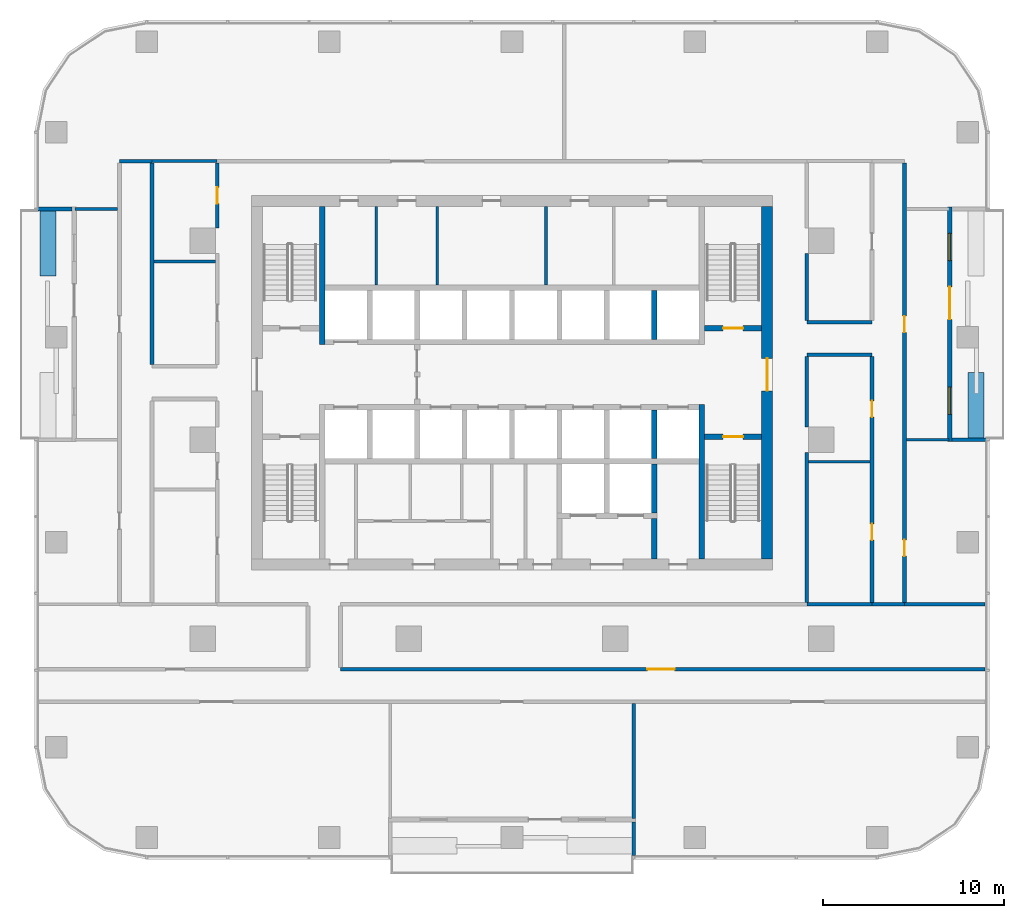
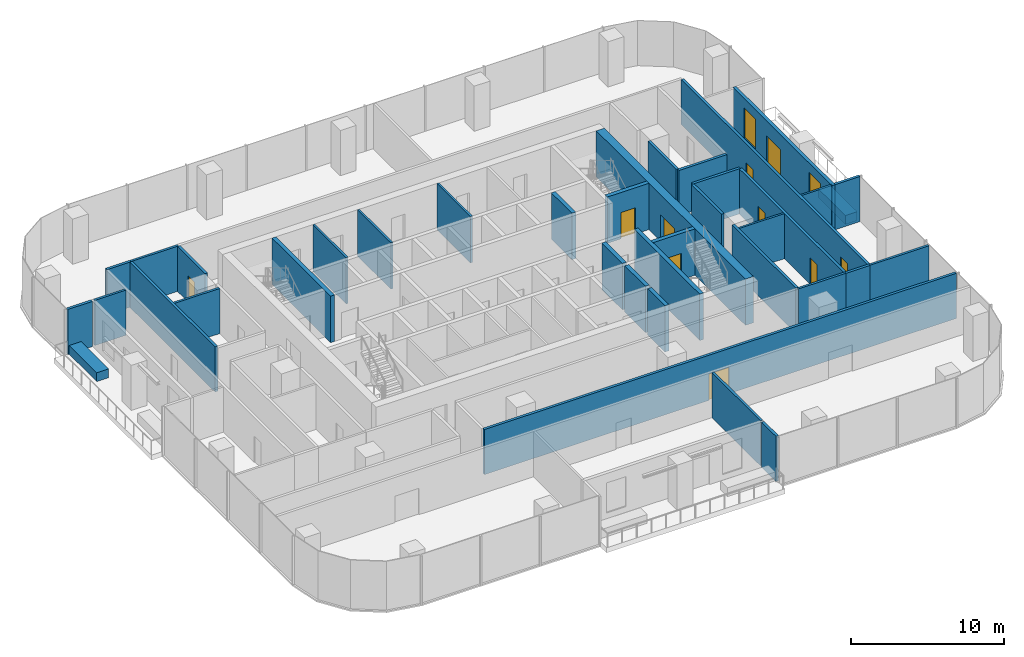
# One storey, part 9 of 14: 38 walls, 10 doors, 2 windows, 12 openings.
"""IFC4 building model written with IfcOpenShell, lengths in metres."""

from ifc_helpers import new_model, si_unit, direction, frame, frame_2d, origin, place, context, subcontext, project, spatial, rectangle, extrude, material, layer, layer_set, type_object, element, fill, save


model = new_model("IFC4")

# Units and contexts
model_context = context("Model", 3, precision=1e-05, world=origin(), true_north=direction((0.0, 1.0)))
body_context = subcontext(model_context, "Body", "Model", "MODEL_VIEW")
ifc_project = project(units=[si_unit("LENGTHUNIT", "METRE"), si_unit("AREAUNIT", "SQUARE_METRE"), si_unit("VOLUMEUNIT", "CUBIC_METRE"), si_unit("PLANEANGLEUNIT", "RADIAN"), si_unit("MASSUNIT", "GRAM", prefix="KILO")], contexts=[model_context])

# Site, building, storey
site_placement = place(None, origin())
site = spatial("IfcSite", under=ifc_project, at=site_placement, CompositionType="ELEMENT")
building_placement = place(site_placement, origin())
building = spatial("IfcBuilding", under=site, at=building_placement, Name="Mopane Tessera Tower", CompositionType="ELEMENT")
storey_placement = place(building_placement, frame((0.0, 0.0, 165.0)))
storey = spatial("IfcBuildingStorey", under=building, at=storey_placement, Name="L33", CompositionType="ELEMENT", Elevation=165.0)

# Walls
ifc_material_1 = material(Name="Fire-rated gypsum board partition")
ifc_layer_1 = layer(ifc_material_1, 0.14990234375)
ifc_layer_set_1 = layer_set([ifc_layer_1], Name="Fire-rated gypsum board partition")
wall_type_1 = type_object("IfcWallType", Name="Core room partition 150 mm", PredefinedType="PARTITIONING", material=ifc_layer_set_1)
for number, where, z_axis, x_axis, name in (
    (1, (-7.5, 8.550048828125, 0.0), (0.0, 0.0, 1.0), (0.0, 1.0, 0.0), "L33 Room partition"),
    (2, (-4.125, 8.550048828125, 0.0), (0.0, 0.0, 1.0), (0.0, 1.0, 0.0), "L33 Room partition"),
    (3, (1.875, 8.550048828125, 0.0), (0.0, 0.0, 1.0), (0.0, 1.0, 0.0), "L33 Room partition"),
):
    element("IfcWall", number, at=place(storey_placement, frame(where, z_axis=z_axis, x_axis=x_axis)), inside=storey, type_object=wall_type_1, Name=name, PredefinedType="PARTITIONING", context=body_context, shape_type="SweptSolid", body=[
        extrude(rectangle(XDim=4.349853515625, YDim=0.14990234375, at=frame_2d((2.1748046875, 0.0))), origin(), (0.0, 0.0, 1.0), 3.699951171875),
    ])

# Wall, opening, door
ifc_material_2 = material(Name="Concrete C70/85", Category="concrete")
ifc_layer_2 = layer(ifc_material_2, 0.60009765625)
ifc_layer_set_2 = layer_set([ifc_layer_2], Name="Concrete C70/85")
wall_type_2 = type_object("IfcWallType", Name="Core shear wall 600 mm", PredefinedType="SHEAR", material=ifc_layer_set_2)
wall_1_placement = place(storey_placement, frame((14.10009765625, -6.60009765625, 0.0), z_axis=(0.0, 0.0, 1.0), x_axis=(0.0, 1.0, 0.0)))
wall_1 = element("IfcWall", 4, at=wall_1_placement, inside=storey, type_object=wall_type_2, Name="L33 Core wall east", PredefinedType="SHEAR", context=body_context, shape_type="SweptSolid", body=[
    extrude(rectangle(XDim=19.5, YDim=0.60009765625, at=frame_2d((9.75, 0.0))), origin(), (0.0, 0.0, 1.0), 3.699951171875),
])
opening_1_placement = place(wall_1_placement, frame((9.300048828125, 0.0, 0.0)))
opening_1 = element("IfcOpeningElement", 5, at=opening_1_placement, cuts=wall_1, Name="Opening SD2", PredefinedType="OPENING", context=body_context, shape_type="SweptSolid", body=[
    extrude(rectangle(XDim=1.800048828125, YDim=2.10009765625, at=frame_2d((0.89990234375, 1.050048828125))), frame((0.0, 0.31201171875, 0.0), z_axis=(0.0, -1.0, 0.0), x_axis=(1.0, 0.0, 0.0)), (0.0, 0.0, 1.0), 0.6240234375),
])
ifc_material_3 = material(Name="Steel fire door", Category="steel")
door_type_1 = type_object("IfcDoorType", Name="Core entrance double door 1800 x 2100", OperationType="DOUBLE_DOOR_SINGLE_SWING", PredefinedType="DOOR", material=ifc_material_3)
door_1_placement = place(opening_1_placement, origin())
door_1 = element("IfcDoor", 6, at=door_1_placement, inside=storey, type_object=door_type_1, Name="L33 Core entrance door east", OperationType="DOUBLE_DOOR_SINGLE_SWING", OverallHeight=2.10009765625, OverallWidth=1.800048828125, PredefinedType="DOOR", context=body_context, shape_type="SweptSolid", body=[
    extrude(rectangle(XDim=1.800048828125, YDim=2.10009765625, at=frame_2d((0.89990234375, 1.050048828125))), frame((0.0, 0.02490234375, 0.0), z_axis=(0.0, -1.0, 0.0), x_axis=(1.0, 0.0, 0.0)), (0.0, 0.0, 1.0), 0.050048828125),
])
fill(opening_1, door_1)

# Walls
ifc_material_4 = material(Name="Concrete C60/75", Category="concrete")
ifc_layer_3 = layer(ifc_material_4, 0.300048828125)
ifc_layer_set_3 = layer_set([ifc_layer_3], Name="Concrete C60/75")
wall_type_3 = type_object("IfcWallType", Name="Core spine wall 300 mm", PredefinedType="SHEAR", material=ifc_layer_set_3)
wall_2_placement = place(storey_placement, frame((-10.5, 5.25, 0.0), z_axis=(0.0, 0.0, 1.0), x_axis=(0.0, 1.0, 0.0)))
element("IfcWall", 7, at=wall_2_placement, inside=storey, type_object=wall_type_3, Name="L33 Core spine wall", PredefinedType="SHEAR", context=body_context, shape_type="SweptSolid", body=[
    extrude(rectangle(XDim=7.64990234375, YDim=0.300048828125, at=frame_2d((3.824951171875, 0.0))), origin(), (0.0, 0.0, 1.0), 3.699951171875),
])
wall_3_placement = place(storey_placement, frame((10.5, -6.60009765625, 0.0), z_axis=(0.0, 0.0, 1.0), x_axis=(0.0, 1.0, 0.0)))
element("IfcWall", 8, at=wall_3_placement, inside=storey, type_object=wall_type_3, Name="L33 Core spine wall", PredefinedType="SHEAR", context=body_context, shape_type="SweptSolid", body=[
    extrude(rectangle(XDim=8.550048828125, YDim=0.300048828125, at=frame_2d((4.27490234375, 0.0))), origin(), (0.0, 0.0, 1.0), 3.699951171875),
])
ifc_material_5 = material(Name="Gypsum board on staggered steel studs, double layer each face, acoustic mineral wool infill", Category="steel")
ifc_layer_4 = layer(ifc_material_5, 0.175048828125)
ifc_layer_set_4 = layer_set([ifc_layer_4], Name="Gypsum board on staggered steel studs, double layer each face, acoustic mineral wool infill")
wall_type_4 = type_object("IfcWallType", Name="Gypsum board acoustic partition 175, rated EI 60", PredefinedType="PARTITIONING", material=ifc_layer_set_4)
wall_4_placement = place(storey_placement, frame((16.300048828125, -9.10009765625, 0.0), z_axis=(0.0, 0.0, 1.0), x_axis=(1.0, 0.0, 0.0)))
element("IfcWall", 9, at=wall_4_placement, inside=storey, type_object=wall_type_4, Name="Partition L33:005", PredefinedType="PARTITIONING", context=body_context, shape_type="SweptSolid", body=[
    extrude(rectangle(XDim=3.599853515625, YDim=0.175048828125, at=frame_2d((1.7998046875, 0.0))), origin(), (0.0, 0.0, 1.0), 3.60009765625),
])
wall_5_placement = place(storey_placement, frame((21.699951171875, -9.10009765625, 0.0), z_axis=(0.0, 0.0, 1.0), x_axis=(1.0, 0.0, 0.0)))
element("IfcWall", 10, at=wall_5_placement, inside=storey, type_object=wall_type_4, Name="Partition L33:006", PredefinedType="PARTITIONING", context=body_context, shape_type="SweptSolid", body=[
    extrude(rectangle(XDim=4.449951171875, YDim=0.175048828125, at=frame_2d((2.22509765625, 0.0))), origin(), (0.0, 0.0, 1.0), 3.60009765625),
])
wall_6_placement = place(storey_placement, frame((-19.800048828125, 9.85498046875, 0.0), z_axis=(0.0, 0.0, 1.0), x_axis=(1.0, 0.0, 0.0)))
element("IfcWall", 11, at=wall_6_placement, inside=storey, type_object=wall_type_4, Name="Partition L33:019", PredefinedType="PARTITIONING", context=body_context, shape_type="SweptSolid", body=[
    extrude(rectangle(XDim=3.400146484375, YDim=0.175048828125, at=frame_2d((1.7001953125, 0.0))), origin(), (0.0, 0.0, 1.0), 3.60009765625),
])
wall_7_placement = place(storey_placement, frame((-24.14990234375, 12.75, 0.0), z_axis=(0.0, 0.0, 1.0), x_axis=(1.0, 0.0, 0.0)))
element("IfcWall", 12, at=wall_7_placement, inside=storey, type_object=wall_type_4, Name="Partition L33:021", PredefinedType="PARTITIONING", context=body_context, shape_type="SweptSolid", body=[
    extrude(rectangle(XDim=2.349853515625, YDim=0.175048828125, at=frame_2d((1.1748046875, 0.0))), origin(), (0.0, 0.0, 1.0), 3.60009765625),
])
wall_8_placement = place(storey_placement, frame((-19.89990234375, 15.39990234375, 0.0), z_axis=(0.0, 0.0, 1.0), x_axis=(1.0, 0.0, 0.0)))
element("IfcWall", 13, at=wall_8_placement, inside=storey, type_object=wall_type_4, Name="Partition L33:023", PredefinedType="PARTITIONING", context=body_context, shape_type="SweptSolid", body=[
    extrude(rectangle(XDim=3.599853515625, YDim=0.175048828125, at=frame_2d((1.7998046875, 0.0))), origin(), (0.0, 0.0, 1.0), 3.60009765625),
])
wall_9_placement = place(storey_placement, frame((6.735107421875, -20.949951171875, 0.0), z_axis=(0.0, 0.0, 1.0), x_axis=(0.0, 1.0, 0.0)))
element("IfcWall", 14, at=wall_9_placement, inside=storey, type_object=wall_type_4, Name="Partition L33:038", PredefinedType="PARTITIONING", context=body_context, shape_type="SweptSolid", body=[
    extrude(rectangle(XDim=6.349853515625, YDim=0.175048828125, at=frame_2d((3.1748046875, 0.0))), origin(), (0.0, 0.0, 1.0), 3.60009765625),
])

# Wall, opening, door
ifc_material_6 = material(Name="Gypsum board on steel studs, two layers each face, mineral wool infill", Category="steel")
ifc_layer_5 = layer(ifc_material_6, 0.199951171875)
ifc_layer_set_5 = layer_set([ifc_layer_5], Name="Gypsum board on steel studs, two layers each face, mineral wool infill")
wall_type_5 = type_object("IfcWallType", Name="Gypsum board corridor wall 200, rated EI 60", PredefinedType="PARTITIONING", material=ifc_layer_set_5)
wall_10_placement = place(storey_placement, frame((-9.47998046875, -12.699951171875, 0.0), z_axis=(0.0, 0.0, 1.0), x_axis=(1.0, 0.0, 0.0)))
wall_10 = element("IfcWall", 15, at=wall_10_placement, inside=storey, type_object=wall_type_5, Name="Partition L33:002", PredefinedType="PARTITIONING", context=body_context, shape_type="SweptSolid", body=[
    extrude(rectangle(XDim=35.6298828125, YDim=0.199951171875, at=frame_2d((17.81494140625, 0.0))), origin(), (0.0, 0.0, 1.0), 3.60009765625),
])
opening_2_placement = place(wall_10_placement, frame((16.965087890625, 0.0, 0.0)))
opening_2 = element("IfcOpeningElement", 16, at=opening_2_placement, cuts=wall_10, Name="Opening L33-05", PredefinedType="OPENING", context=body_context, shape_type="SweptSolid", body=[
    extrude(rectangle(XDim=1.5, YDim=2.10009765625, at=frame_2d((0.75, 1.050048828125))), frame((0.0, 0.112060546875, 0.0), z_axis=(0.0, -1.0, 0.0), x_axis=(1.0, 0.0, 0.0)), (0.0, 0.0, 1.0), 0.223876953125),
])
ifc_material_7 = material(Name="Timber veneered steel-framed fire door", Category="steel")
door_type_2 = type_object("IfcDoorType", Name="Fire door pair FD60 1500 x 2100", OperationType="DOUBLE_DOOR_SINGLE_SWING", PredefinedType="DOOR", material=ifc_material_7)
door_2_placement = place(opening_2_placement, origin())
door_2 = element("IfcDoor", 17, at=door_2_placement, inside=storey, type_object=door_type_2, Name="Door L33-05", ObjectType="D17A", OperationType="DOUBLE_DOOR_SINGLE_SWING", OverallHeight=2.10009765625, OverallWidth=1.5, PredefinedType="DOOR", context=body_context, shape_type="SweptSolid", body=[
    extrude(rectangle(XDim=1.5, YDim=2.10009765625, at=frame_2d((0.75, 1.050048828125))), frame((0.0, 0.02490234375, 0.0), z_axis=(0.0, -1.0, 0.0), x_axis=(1.0, 0.0, 0.0)), (0.0, 0.0, 1.0), 0.050048828125),
])
fill(opening_2, door_2)

# Walls
wall_11_placement = place(storey_placement, frame((19.89990234375, -9.10009765625, 0.0), z_axis=(0.0, 0.0, 1.0), x_axis=(1.0, 0.0, 0.0)))
element("IfcWall", 18, at=wall_11_placement, inside=storey, type_object=wall_type_5, Name="Partition L33:010", PredefinedType="PARTITIONING", context=body_context, shape_type="SweptSolid", body=[
    extrude(rectangle(XDim=1.800048828125, YDim=0.199951171875, at=frame_2d((0.89990234375, 0.0))), origin(), (0.0, 0.0, 1.0), 3.60009765625),
])
for number, where, z_axis, x_axis, name in (
    (19, (16.300048828125, 4.699951171875, 0.0), (0.0, 0.0, 1.0), (1.0, 0.0, 0.0), "Partition L33:017"),
    (20, (16.300048828125, 6.5, 0.0), (0.0, 0.0, 1.0), (1.0, 0.0, 0.0), "Partition L33:018"),
):
    element("IfcWall", number, at=place(storey_placement, frame(where, z_axis=z_axis, x_axis=x_axis)), inside=storey, type_object=wall_type_5, Name=name, PredefinedType="PARTITIONING", context=body_context, shape_type="SweptSolid", body=[
        extrude(rectangle(XDim=3.599853515625, YDim=0.199951171875, at=frame_2d((1.7998046875, 0.0))), origin(), (0.0, 0.0, 1.0), 3.60009765625),
    ])
wall_12_placement = place(storey_placement, frame((-21.699951171875, 15.39990234375, 0.0), z_axis=(0.0, 0.0, 1.0), x_axis=(1.0, 0.0, 0.0)))
element("IfcWall", 21, at=wall_12_placement, inside=storey, type_object=wall_type_5, Name="Partition L33:024", PredefinedType="PARTITIONING", context=body_context, shape_type="SweptSolid", body=[
    extrude(rectangle(XDim=1.800048828125, YDim=0.199951171875, at=frame_2d((0.89990234375, 0.0))), origin(), (0.0, 0.0, 1.0), 3.60009765625),
])
wall_13_placement = place(storey_placement, frame((-19.89990234375, 4.14990234375, 0.0), z_axis=(0.0, 0.0, 1.0), x_axis=(0.0, 1.0, 0.0)))
element("IfcWall", 22, at=wall_13_placement, inside=storey, type_object=wall_type_5, Name="Partition L33:029", PredefinedType="PARTITIONING", context=body_context, shape_type="SweptSolid", body=[
    extrude(rectangle(XDim=11.150146484375, YDim=0.199951171875, at=frame_2d((5.5751953125, 0.0))), origin(), (0.0, 0.0, 1.0), 3.60009765625),
])

# Wall, opening, door
wall_14_placement = place(storey_placement, frame((-16.300048828125, 11.699951171875, 0.0), z_axis=(0.0, 0.0, 1.0), x_axis=(0.0, 1.0, 0.0)))
wall_14 = element("IfcWall", 23, at=wall_14_placement, inside=storey, type_object=wall_type_5, Name="Partition L33:033", PredefinedType="PARTITIONING", context=body_context, shape_type="SweptSolid", body=[
    extrude(rectangle(XDim=3.60009765625, YDim=0.199951171875, at=frame_2d((1.800048828125, 0.0))), origin(), (0.0, 0.0, 1.0), 3.60009765625),
])
opening_3_placement = place(wall_14_placement, frame((1.35009765625, 0.0, 0.0)))
opening_3 = element("IfcOpeningElement", 24, at=opening_3_placement, cuts=wall_14, Name="Opening L33-11", PredefinedType="OPENING", context=body_context, shape_type="SweptSolid", body=[
    extrude(rectangle(XDim=0.89990234375, YDim=2.10009765625, at=frame_2d((0.449951171875, 1.050048828125))), frame((0.0, 0.112060546875, 0.0), z_axis=(0.0, -1.0, 0.0), x_axis=(1.0, 0.0, 0.0)), (0.0, 0.0, 1.0), 0.223876953125),
])
ifc_material_8 = material(Name="Timber veneered steel-framed fire door", Category="steel")
door_type_3 = type_object("IfcDoorType", Name="Fire door FD60 900 x 2100", OperationType="SINGLE_SWING_LEFT", PredefinedType="DOOR", material=ifc_material_8)
door_3_placement = place(opening_3_placement, origin())
door_3 = element("IfcDoor", 25, at=door_3_placement, inside=storey, type_object=door_type_3, Name="Door L33-11", ObjectType="D10A", OperationType="SINGLE_SWING_RIGHT", OverallHeight=2.10009765625, OverallWidth=0.89990234375, PredefinedType="DOOR", context=body_context, shape_type="SweptSolid", body=[
    extrude(rectangle(XDim=0.89990234375, YDim=2.10009765625, at=frame_2d((0.449951171875, 1.050048828125))), frame((0.0, 0.02490234375, 0.0), z_axis=(0.0, -1.0, 0.0), x_axis=(1.0, 0.0, 0.0)), (0.0, 0.0, 1.0), 0.050048828125),
])
fill(opening_3, door_3)

# Walls
wall_15_placement = place(storey_placement, frame((16.300048828125, -9.0, 0.0), z_axis=(0.0, 0.0, 1.0), x_axis=(0.0, 1.0, 0.0)))
element("IfcWall", 26, at=wall_15_placement, inside=storey, type_object=wall_type_5, Name="Partition L33:039", PredefinedType="PARTITIONING", context=body_context, shape_type="SweptSolid", body=[
    extrude(rectangle(XDim=8.300048828125, YDim=0.199951171875, at=frame_2d((4.14990234375, 0.0))), origin(), (0.0, 0.0, 1.0), 3.60009765625),
])
wall_16_placement = place(storey_placement, frame((16.300048828125, 0.699951171875, 0.0), z_axis=(0.0, 0.0, 1.0), x_axis=(0.0, 1.0, 0.0)))
element("IfcWall", 27, at=wall_16_placement, inside=storey, type_object=wall_type_5, Name="Partition L33:040", PredefinedType="PARTITIONING", context=body_context, shape_type="SweptSolid", body=[
    extrude(rectangle(XDim=3.900146484375, YDim=0.199951171875, at=frame_2d((1.9501953125, 0.0))), origin(), (0.0, 0.0, 1.0), 3.60009765625),
])
wall_17_placement = place(storey_placement, frame((16.300048828125, 6.60009765625, 0.0), z_axis=(0.0, 0.0, 1.0), x_axis=(0.0, 1.0, 0.0)))
element("IfcWall", 28, at=wall_17_placement, inside=storey, type_object=wall_type_5, Name="Partition L33:041", PredefinedType="PARTITIONING", context=body_context, shape_type="SweptSolid", body=[
    extrude(rectangle(XDim=3.699951171875, YDim=0.199951171875, at=frame_2d((1.85009765625, 0.0))), origin(), (0.0, 0.0, 1.0), 3.60009765625),
])

# Wall, openings, doors
wall_18_placement = place(storey_placement, frame((19.89990234375, -9.0, 0.0), z_axis=(0.0, 0.0, 1.0), x_axis=(0.0, 1.0, 0.0)))
wall_18 = element("IfcWall", 29, at=wall_18_placement, inside=storey, type_object=wall_type_5, Name="Partition L33:043", PredefinedType="PARTITIONING", context=body_context, shape_type="SweptSolid", body=[
    extrude(rectangle(XDim=13.60009765625, YDim=0.199951171875, at=frame_2d((6.800048828125, 0.0))), origin(), (0.0, 0.0, 1.0), 3.60009765625),
])
opening_4_placement = place(wall_18_placement, frame((3.4423828125, 0.0, 0.0)))
opening_4 = element("IfcOpeningElement", 30, at=opening_4_placement, cuts=wall_18, Name="Opening L33-08", PredefinedType="OPENING", context=body_context, shape_type="SweptSolid", body=[
    extrude(rectangle(XDim=0.89990234375, YDim=2.10009765625, at=frame_2d((0.449951171875, 1.050048828125))), frame((0.0, 0.112060546875, 0.0), z_axis=(0.0, -1.0, 0.0), x_axis=(1.0, 0.0, 0.0)), (0.0, 0.0, 1.0), 0.223876953125),
])
opening_5_placement = place(wall_18_placement, frame((10.242431640625, 0.0, 0.0)))
opening_5 = element("IfcOpeningElement", 31, at=opening_5_placement, cuts=wall_18, Name="Opening L33-14", PredefinedType="OPENING", context=body_context, shape_type="SweptSolid", body=[
    extrude(rectangle(XDim=0.89990234375, YDim=2.10009765625, at=frame_2d((0.449951171875, 1.050048828125))), frame((0.0, 0.112060546875, 0.0), z_axis=(0.0, -1.0, 0.0), x_axis=(1.0, 0.0, 0.0)), (0.0, 0.0, 1.0), 0.223876953125),
])
door_4_placement = place(opening_4_placement, origin())
door_4 = element("IfcDoor", 32, at=door_4_placement, inside=storey, type_object=door_type_3, Name="Door L33-08", ObjectType="D10A", OperationType="SINGLE_SWING_LEFT", OverallHeight=2.10009765625, OverallWidth=0.89990234375, PredefinedType="DOOR", context=body_context, shape_type="SweptSolid", body=[
    extrude(rectangle(XDim=0.89990234375, YDim=2.10009765625, at=frame_2d((0.449951171875, 1.050048828125))), frame((0.0, 0.02490234375, 0.0), z_axis=(0.0, -1.0, 0.0), x_axis=(1.0, 0.0, 0.0)), (0.0, 0.0, 1.0), 0.050048828125),
])
fill(opening_4, door_4)
door_5_placement = place(opening_5_placement, origin())
door_5 = element("IfcDoor", 33, at=door_5_placement, inside=storey, type_object=door_type_3, Name="Door L33-14", ObjectType="D10A", OperationType="SINGLE_SWING_LEFT", OverallHeight=2.10009765625, OverallWidth=0.89990234375, PredefinedType="DOOR", context=body_context, shape_type="SweptSolid", body=[
    extrude(rectangle(XDim=0.89990234375, YDim=2.10009765625, at=frame_2d((0.449951171875, 1.050048828125))), frame((0.0, 0.02490234375, 0.0), z_axis=(0.0, -1.0, 0.0), x_axis=(1.0, 0.0, 0.0)), (0.0, 0.0, 1.0), 0.050048828125),
])
fill(opening_5, door_5)

wall_19_placement = place(storey_placement, frame((21.699951171875, -9.0, 0.0), z_axis=(0.0, 0.0, 1.0), x_axis=(0.0, 1.0, 0.0)))
wall_19 = element("IfcWall", 34, at=wall_19_placement, inside=storey, type_object=wall_type_5, Name="Partition L33:045", PredefinedType="PARTITIONING", context=body_context, shape_type="SweptSolid", body=[
    extrude(rectangle(XDim=24.300048828125, YDim=0.199951171875, at=frame_2d((12.14990234375, 0.0))), origin(), (0.0, 0.0, 1.0), 3.60009765625),
])
opening_6_placement = place(wall_19_placement, frame((14.925048828125, 0.0, 0.0)))
opening_6 = element("IfcOpeningElement", 35, at=opening_6_placement, cuts=wall_19, Name="Opening L33-03", PredefinedType="OPENING", context=body_context, shape_type="SweptSolid", body=[
    extrude(rectangle(XDim=0.89990234375, YDim=2.10009765625, at=frame_2d((0.449951171875, 1.050048828125))), frame((0.0, 0.112060546875, 0.0), z_axis=(0.0, -1.0, 0.0), x_axis=(1.0, 0.0, 0.0)), (0.0, 0.0, 1.0), 0.223876953125),
])
opening_7_placement = place(wall_19_placement, frame((2.5625, 0.0, 0.0)))
opening_7 = element("IfcOpeningElement", 36, at=opening_7_placement, cuts=wall_19, Name="Opening L33-16", PredefinedType="OPENING", context=body_context, shape_type="SweptSolid", body=[
    extrude(rectangle(XDim=0.89990234375, YDim=2.10009765625, at=frame_2d((0.449951171875, 1.050048828125))), frame((0.0, 0.112060546875, 0.0), z_axis=(0.0, -1.0, 0.0), x_axis=(1.0, 0.0, 0.0)), (0.0, 0.0, 1.0), 0.223876953125),
])
door_6_placement = place(opening_6_placement, origin())
door_6 = element("IfcDoor", 37, at=door_6_placement, inside=storey, type_object=door_type_3, Name="Door L33-03", ObjectType="D10A", OperationType="SINGLE_SWING_LEFT", OverallHeight=2.10009765625, OverallWidth=0.89990234375, PredefinedType="DOOR", context=body_context, shape_type="SweptSolid", body=[
    extrude(rectangle(XDim=0.89990234375, YDim=2.10009765625, at=frame_2d((0.449951171875, 1.050048828125))), frame((0.0, 0.02490234375, 0.0), z_axis=(0.0, -1.0, 0.0), x_axis=(1.0, 0.0, 0.0)), (0.0, 0.0, 1.0), 0.050048828125),
])
fill(opening_6, door_6)
door_7_placement = place(opening_7_placement, origin())
door_7 = element("IfcDoor", 38, at=door_7_placement, inside=storey, type_object=door_type_3, Name="Door L33-16", ObjectType="D10A", OperationType="SINGLE_SWING_RIGHT", OverallHeight=2.10009765625, OverallWidth=0.89990234375, PredefinedType="DOOR", context=body_context, shape_type="SweptSolid", body=[
    extrude(rectangle(XDim=0.89990234375, YDim=2.10009765625, at=frame_2d((0.449951171875, 1.050048828125))), frame((0.0, 0.02490234375, 0.0), z_axis=(0.0, -1.0, 0.0), x_axis=(1.0, 0.0, 0.0)), (0.0, 0.0, 1.0), 0.050048828125),
])
fill(opening_7, door_7)

# Walls
ifc_material_9 = material(Name="Gypsum board on steel studs, mineral wool infill", Category="steel")
ifc_layer_6 = layer(ifc_material_9, 0.14990234375)
ifc_layer_set_6 = layer_set([ifc_layer_6], Name="Gypsum board on steel studs, mineral wool infill")
wall_type_6 = type_object("IfcWallType", Name="Gypsum board partition 150, rated EI 60", PredefinedType="PARTITIONING", material=ifc_layer_set_6)
wall_20_placement = place(storey_placement, frame((16.39990234375, -1.215087890625, 0.0), z_axis=(0.0, 0.0, 1.0), x_axis=(1.0, 0.0, 0.0)))
element("IfcWall", 39, at=wall_20_placement, inside=storey, type_object=wall_type_6, Name="Partition L33:012", PredefinedType="PARTITIONING", context=body_context, shape_type="SweptSolid", body=[
    extrude(rectangle(XDim=3.400146484375, YDim=0.14990234375, at=frame_2d((1.7001953125, 0.0))), origin(), (0.0, 0.0, 1.0), 3.60009765625),
])
wall_21_placement = place(storey_placement, frame((21.800048828125, 0.0, 0.0), z_axis=(0.0, 0.0, 1.0), x_axis=(1.0, 0.0, 0.0)))
element("IfcWall", 40, at=wall_21_placement, inside=storey, type_object=wall_type_6, Name="Partition L33:014", PredefinedType="PARTITIONING", context=body_context, shape_type="SweptSolid", body=[
    extrude(rectangle(XDim=2.349853515625, YDim=0.14990234375, at=frame_2d((1.1748046875, 0.0))), origin(), (0.0, 0.0, 1.0), 3.60009765625),
])

# Wall, opening, door
ifc_material_10 = material(Name="Concrete C50/60", Category="concrete")
ifc_layer_7 = layer(ifc_material_10, 0.300048828125)
ifc_layer_set_7 = layer_set([ifc_layer_7], Name="Concrete C50/60")
wall_type_7 = type_object("IfcWallType", Name="Lift and stair shaft wall 300 mm", PredefinedType="SOLIDWALL", material=ifc_layer_set_7)
wall_22_placement = place(storey_placement, frame((10.64990234375, 0.14990234375, 0.0), z_axis=(0.0, 0.0, 1.0), x_axis=(1.0, 0.0, 0.0)))
wall_22 = element("IfcWall", 41, at=wall_22_placement, inside=storey, type_object=wall_type_7, Name="L33 Stair enclosure wall", PredefinedType="SOLIDWALL", context=body_context, shape_type="SweptSolid", body=[
    extrude(rectangle(XDim=3.150146484375, YDim=0.300048828125, at=frame_2d((1.5751953125, 0.0))), origin(), (0.0, 0.0, 1.0), 3.699951171875),
])
opening_8_placement = place(wall_22_placement, frame((1.02490234375, 0.0, 0.0)))
opening_8 = element("IfcOpeningElement", 42, at=opening_8_placement, cuts=wall_22, Name="Opening SD1", PredefinedType="OPENING", context=body_context, shape_type="SweptSolid", body=[
    extrude(rectangle(XDim=1.10009765625, YDim=2.10009765625, at=frame_2d((0.550048828125, 1.050048828125))), frame((0.0, 0.162109375, 0.0), z_axis=(0.0, -1.0, 0.0), x_axis=(1.0, 0.0, 0.0)), (0.0, 0.0, 1.0), 0.323974609375),
])
ifc_material_11 = material(Name="Steel fire door", Category="steel")
door_type_4 = type_object("IfcDoorType", Name="Stair fire door 1100 x 2100", OperationType="SINGLE_SWING_LEFT", PredefinedType="DOOR", material=ifc_material_11)
door_8_placement = place(opening_8_placement, origin())
door_8 = element("IfcDoor", 43, at=door_8_placement, inside=storey, type_object=door_type_4, Name="L33 Stair door ST3", OperationType="SINGLE_SWING_RIGHT", OverallHeight=2.10009765625, OverallWidth=1.10009765625, PredefinedType="DOOR", context=body_context, shape_type="SweptSolid", body=[
    extrude(rectangle(XDim=1.10009765625, YDim=2.10009765625, at=frame_2d((0.550048828125, 1.050048828125))), frame((0.0, 0.02490234375, 0.0), z_axis=(0.0, -1.0, 0.0), x_axis=(1.0, 0.0, 0.0)), (0.0, 0.0, 1.0), 0.050048828125),
])
fill(opening_8, door_8)

wall_23_placement = place(storey_placement, frame((10.64990234375, 6.14990234375, 0.0), z_axis=(0.0, 0.0, 1.0), x_axis=(1.0, 0.0, 0.0)))
wall_23 = element("IfcWall", 44, at=wall_23_placement, inside=storey, type_object=wall_type_7, Name="L33 Stair enclosure wall", PredefinedType="SOLIDWALL", context=body_context, shape_type="SweptSolid", body=[
    extrude(rectangle(XDim=3.150146484375, YDim=0.300048828125, at=frame_2d((1.5751953125, 0.0))), origin(), (0.0, 0.0, 1.0), 3.699951171875),
])
opening_9_placement = place(wall_23_placement, frame((1.02490234375, 0.0, 0.0)))
opening_9 = element("IfcOpeningElement", 45, at=opening_9_placement, cuts=wall_23, Name="Opening SD1", PredefinedType="OPENING", context=body_context, shape_type="SweptSolid", body=[
    extrude(rectangle(XDim=1.10009765625, YDim=2.10009765625, at=frame_2d((0.550048828125, 1.050048828125))), frame((0.0, 0.162109375, 0.0), z_axis=(0.0, -1.0, 0.0), x_axis=(1.0, 0.0, 0.0)), (0.0, 0.0, 1.0), 0.323974609375),
])
door_9_placement = place(opening_9_placement, origin())
door_9 = element("IfcDoor", 46, at=door_9_placement, inside=storey, type_object=door_type_4, Name="L33 Stair door ST4", OperationType="SINGLE_SWING_RIGHT", OverallHeight=2.10009765625, OverallWidth=1.10009765625, PredefinedType="DOOR", context=body_context, shape_type="SweptSolid", body=[
    extrude(rectangle(XDim=1.10009765625, YDim=2.10009765625, at=frame_2d((0.550048828125, 1.050048828125))), frame((0.0, 0.02490234375, 0.0), z_axis=(0.0, -1.0, 0.0), x_axis=(1.0, 0.0, 0.0)), (0.0, 0.0, 1.0), 0.050048828125),
])
fill(opening_9, door_9)

# Walls
for number, where, z_axis, x_axis, name in (
    (47, (7.875, -1.050048828125, 0.0), (0.0, 0.0, 1.0), (0.0, 1.0, 0.0), "L33 Lift shaft wall"),
    (48, (7.875, 5.550048828125, 0.0), (0.0, 0.0, 1.0), (0.0, 1.0, 0.0), "L33 Lift shaft wall"),
    (49, (7.875, -4.050048828125, 0.0), (0.0, 0.0, 1.0), (0.0, 1.0, 0.0), "L33 Lift shaft wall"),
):
    element("IfcWall", number, at=place(storey_placement, frame(where, z_axis=z_axis, x_axis=x_axis)), inside=storey, type_object=wall_type_7, Name=name, PredefinedType="SOLIDWALL", context=body_context, shape_type="SweptSolid", body=[
        extrude(rectangle(XDim=2.699951171875, YDim=0.300048828125, at=frame_2d((1.35009765625, 0.0))), origin(), (0.0, 0.0, 1.0), 3.699951171875),
    ])
ifc_material_12 = material(Name="Concrete C50/60", Category="concrete")
ifc_layer_8 = layer(ifc_material_12, 0.300048828125)
ifc_layer_set_8 = layer_set([ifc_layer_8], Name="Concrete C50/60")
wall_type_8 = type_object("IfcWallType", Name="Lobby and refuge room wall 300 mm", PredefinedType="SOLIDWALL", material=ifc_layer_set_8)
wall_24_placement = place(storey_placement, frame((7.875, -6.60009765625, 0.0), z_axis=(0.0, 0.0, 1.0), x_axis=(0.0, 1.0, 0.0)))
element("IfcWall", 50, at=wall_24_placement, inside=storey, type_object=wall_type_8, Name="L33 Service lobby wall", PredefinedType="SOLIDWALL", context=body_context, shape_type="SweptSolid", body=[
    extrude(rectangle(XDim=2.25, YDim=0.300048828125, at=frame_2d((1.125, 0.0))), origin(), (0.0, 0.0, 1.0), 3.699951171875),
])
ifc_material_13 = material(Name="Reinforced concrete C32/40 with waterproofing", Category="concrete")
ifc_layer_9 = layer(ifc_material_13, 0.89990234375)
ifc_layer_set_9 = layer_set([ifc_layer_9], Name="Reinforced concrete C32/40 with waterproofing")
wall_type_9 = type_object("IfcWallType", Name="Planter trough 3600 x 900", PredefinedType="STANDARD", material=ifc_layer_set_9)
for number, where, z_axis, x_axis, name in (
    (51, (-25.64990234375, 12.64990234375, 0.0), (0.0, 0.0, 1.0), (0.0, -1.0, 0.0), "e:nw:L33:N1:pl0"),
    (52, (25.64990234375, 0.10009765625, 0.0), (0.0, 0.0, 1.0), (0.0, 1.0, 0.0), "e:nw:L33:N3:pl0"),
):
    element("IfcWall", number, at=place(storey_placement, frame(where, z_axis=z_axis, x_axis=x_axis)), inside=storey, type_object=wall_type_9, Name=name, PredefinedType="STANDARD", context=body_context, shape_type="SweptSolid", body=[
        extrude(rectangle(XDim=3.599853515625, YDim=0.89990234375, at=frame_2d((1.7998046875, 0.0))), origin(), (0.0, 0.0, 1.0), 0.699951171875),
    ])
ifc_material_14 = material(Name="Blockwork with glazed tile facing", Category="masonry")
ifc_layer_10 = layer(ifc_material_14, 0.199951171875)
ifc_layer_set_10 = layer_set([ifc_layer_10], Name="Blockwork with glazed tile facing")
wall_type_10 = type_object("IfcWallType", Name="Terrace cheek wall 200", PredefinedType="STANDARD", material=ifc_layer_set_10)
for number, where, z_axis, x_axis, name in (
    (53, (-26.199951171875, 12.75, 0.0), (0.0, 0.0, 1.0), (1.0, 0.0, 0.0), "e:nw:L33:N1:cheeka"),
    (54, (6.7333984375, -23.0, 0.0), (0.0, 0.0, 1.0), (0.0, 1.0, 0.0), "e:nw:L33:N2:cheekb"),
    (55, (26.199951171875, 0.0, 0.0), (0.0, 0.0, 1.0), (-1.0, 0.0, 0.0), "e:nw:L33:N3:cheeka"),
):
    element("IfcWall", number, at=place(storey_placement, frame(where, z_axis=z_axis, x_axis=x_axis)), inside=storey, type_object=wall_type_10, Name=name, PredefinedType="STANDARD", context=body_context, shape_type="SweptSolid", body=[
        extrude(rectangle(XDim=1.875, YDim=0.199951171875, at=frame_2d((0.9375, 0.0))), origin(), (0.0, 0.0, 1.0), 3.60009765625),
    ])

# Wall, openings, windows, door
ifc_material_15 = material(Name="Blockwork with ochre glazed tile facing", Category="masonry")
ifc_layer_11 = layer(ifc_material_15, 0.25)
ifc_layer_set_11 = layer_set([ifc_layer_11], Name="Blockwork with ochre glazed tile facing")
wall_type_11 = type_object("IfcWallType", Name="Tile-clad external wall 250, ochre", PredefinedType="STANDARD", material=ifc_layer_set_11)
wall_25_placement = place(storey_placement, frame((24.199951171875, -0.10009765625, 0.0), z_axis=(0.0, 0.0, 1.0), x_axis=(0.0, 1.0, 0.0)))
wall_25 = element("IfcWall", 56, at=wall_25_placement, inside=storey, type_object=wall_type_11, Name="e:nw:L33:N3:back", PredefinedType="STANDARD", context=body_context, shape_type="SweptSolid", body=[
    extrude(rectangle(XDim=12.9501953125, YDim=0.25, at=frame_2d((6.47509765625, 0.0))), origin(), (0.0, 0.0, 1.0), 3.60009765625),
])
opening_10_placement = place(wall_25_placement, frame((1.5, 0.0, 0.449951171875)))
opening_10 = element("IfcOpeningElement", 57, at=opening_10_placement, cuts=wall_25, Name="Opening NW333A", PredefinedType="OPENING", context=body_context, shape_type="SweptSolid", body=[
    extrude(rectangle(XDim=1.5, YDim=2.39990234375, at=frame_2d((0.75, 1.199951171875))), frame((0.0, 0.136962890625, 0.0), z_axis=(0.0, -1.0, 0.0), x_axis=(1.0, 0.0, 0.0)), (0.0, 0.0, 1.0), 0.27392578125),
])
opening_11_placement = place(wall_25_placement, frame((6.75, 0.0, 0.0)))
opening_11 = element("IfcOpeningElement", 58, at=opening_11_placement, cuts=wall_25, Name="Opening ND333", PredefinedType="OPENING", context=body_context, shape_type="SweptSolid", body=[
    extrude(rectangle(XDim=1.800048828125, YDim=2.39990234375, at=frame_2d((0.89990234375, 1.199951171875))), frame((0.0, 0.136962890625, 0.0), z_axis=(0.0, -1.0, 0.0), x_axis=(1.0, 0.0, 0.0)), (0.0, 0.0, 1.0), 0.27392578125),
])
opening_12_placement = place(wall_25_placement, frame((10.0, 0.0, 0.449951171875)))
opening_12 = element("IfcOpeningElement", 59, at=opening_12_placement, cuts=wall_25, Name="Opening NW333B", PredefinedType="OPENING", context=body_context, shape_type="SweptSolid", body=[
    extrude(rectangle(XDim=1.5, YDim=2.39990234375, at=frame_2d((0.75, 1.199951171875))), frame((0.0, 0.136962890625, 0.0), z_axis=(0.0, -1.0, 0.0), x_axis=(1.0, 0.0, 0.0)), (0.0, 0.0, 1.0), 0.27392578125),
])
ifc_material_16 = material(Name="Clear laminated glass", Category="glass")
window_type = type_object("IfcWindowType", Name="Fixed window 1500 x 2400", PartitioningType="SINGLE_PANEL", PredefinedType="WINDOW", material=ifc_material_16)
window_1_placement = place(opening_10_placement, origin())
window_1 = element("IfcWindow", 60, at=window_1_placement, inside=storey, type_object=window_type, Name="e:nw:L33:N3:win0", OverallHeight=2.39990234375, OverallWidth=1.5, PartitioningType="SINGLE_PANEL", PredefinedType="WINDOW", context=body_context, shape_type="SweptSolid", body=[
    extrude(rectangle(XDim=1.5, YDim=2.39990234375, at=frame_2d((0.75, 1.199951171875))), frame((0.0, 0.030029296875, 0.0), z_axis=(0.0, -1.0, 0.0), x_axis=(1.0, 0.0, 0.0)), (0.0, 0.0, 1.0), 0.06005859375),
])
fill(opening_10, window_1)
window_2_placement = place(opening_12_placement, origin())
window_2 = element("IfcWindow", 61, at=window_2_placement, inside=storey, type_object=window_type, Name="e:nw:L33:N3:win2", OverallHeight=2.39990234375, OverallWidth=1.5, PartitioningType="SINGLE_PANEL", PredefinedType="WINDOW", context=body_context, shape_type="SweptSolid", body=[
    extrude(rectangle(XDim=1.5, YDim=2.39990234375, at=frame_2d((0.75, 1.199951171875))), frame((0.0, 0.030029296875, 0.0), z_axis=(0.0, -1.0, 0.0), x_axis=(1.0, 0.0, 0.0)), (0.0, 0.0, 1.0), 0.06005859375),
])
fill(opening_12, window_2)
ifc_material_17 = material(Name="Aluminium and clear glass", Category="aluminium")
door_type_5 = type_object("IfcDoorType", Name="Terrace double door 1800 x 2400", OperationType="DOUBLE_DOOR_SINGLE_SWING", PredefinedType="DOOR", material=ifc_material_17)
door_10_placement = place(opening_11_placement, origin())
door_10 = element("IfcDoor", 62, at=door_10_placement, inside=storey, type_object=door_type_5, Name="e:nw:L33:N3:door", ObjectType="D1", OperationType="DOUBLE_DOOR_SINGLE_SWING", OverallHeight=2.39990234375, OverallWidth=1.800048828125, PredefinedType="DOOR", context=body_context, shape_type="SweptSolid", body=[
    extrude(rectangle(XDim=1.800048828125, YDim=2.39990234375, at=frame_2d((0.89990234375, 1.199951171875))), frame((0.0, 0.02490234375, 0.0), z_axis=(0.0, -1.0, 0.0), x_axis=(1.0, 0.0, 0.0)), (0.0, 0.0, 1.0), 0.050048828125),
])
fill(opening_11, door_10)

save(model, "model.ifc")
